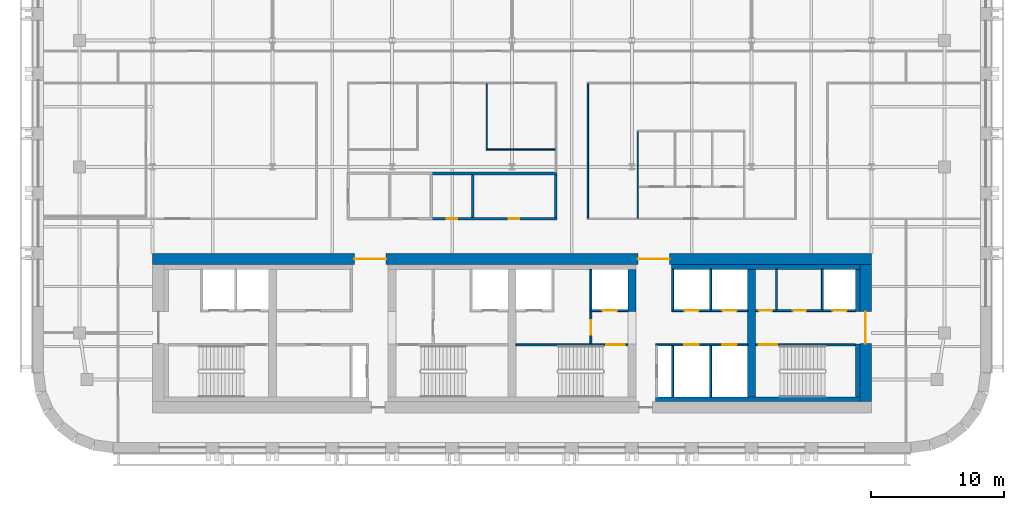
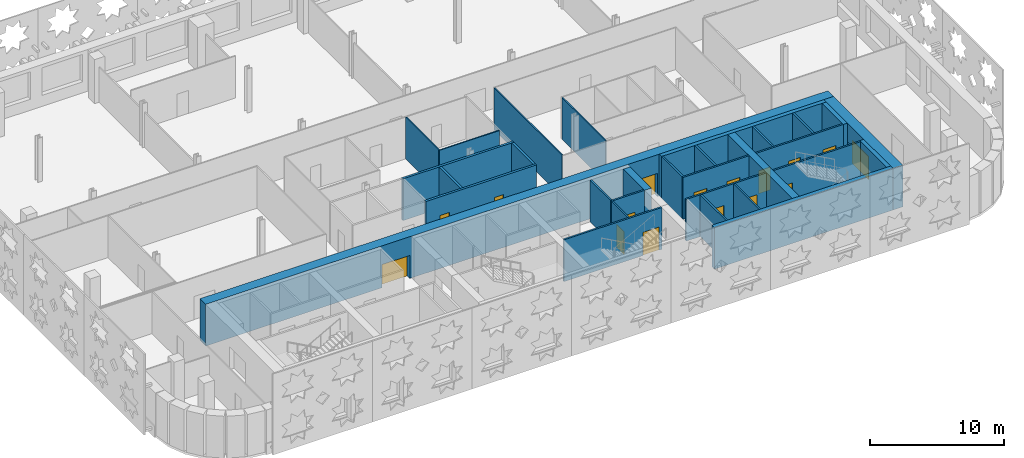
# One storey, part 5 of 12: 30 walls, 16 doors, 16 openings.
"""IFC4 building model written with IfcOpenShell, lengths in metres."""

from ifc_helpers import new_model, si_unit, direction, frame, frame_2d, origin, place, context, subcontext, project, spatial, rectangle, extrude, material, layer, layer_set, type_object, element, fill, save


model = new_model("IFC4")

# Units and contexts
model_context = context("Model", 3, precision=1e-05, world=origin(), true_north=direction((0.0, 1.0)))
body_context = subcontext(model_context, "Body", "Model", "MODEL_VIEW")
ifc_project = project(units=[si_unit("LENGTHUNIT", "METRE"), si_unit("AREAUNIT", "SQUARE_METRE"), si_unit("VOLUMEUNIT", "CUBIC_METRE"), si_unit("PLANEANGLEUNIT", "RADIAN"), si_unit("MASSUNIT", "GRAM", prefix="KILO")], contexts=[model_context])

# Site, building, storey
site_placement = place(None, origin())
site = spatial("IfcSite", under=ifc_project, at=site_placement, CompositionType="ELEMENT")
building_placement = place(site_placement, origin())
building = spatial("IfcBuilding", under=site, at=building_placement, Name="Zellij Exchange Tower", CompositionType="ELEMENT")
storey_placement = place(building_placement, frame((0.0, 0.0, 204.5)))
storey = spatial("IfcBuildingStorey", under=building, at=storey_placement, Name="L47", CompositionType="ELEMENT", Elevation=204.5)

# Walls
ifc_material_1 = material(Name="Concrete C60/75", Category="concrete")
ifc_layer_1 = layer(ifc_material_1, 0.60009765625)
ifc_layer_set_1 = layer_set([ifc_layer_1], Name="Concrete C60/75")
wall_type_1 = type_object("IfcWallType", Name="CORE-CW 600 C60/75", PredefinedType="SHEAR", material=ifc_layer_set_1)
wall_1_placement = place(storey_placement, frame((9.0, -6.375, 0.0), z_axis=(0.0, 0.0, 1.0), x_axis=(0.0, 1.0, 0.0)))
element("IfcWall", 1, at=wall_1_placement, inside=storey, type_object=wall_type_1, Name="Core cross wall pier x 9 b L47", PredefinedType="SHEAR", context=body_context, shape_type="SweptSolid", body=[
    extrude(rectangle(XDim=3.175048828125, YDim=0.60009765625, at=frame_2d((1.58740234375, 0.0))), origin(), (0.0, 0.0, 1.0), 3.800048828125),
])
wall_2_placement = place(storey_placement, frame((18.0, -12.800048828125, 0.0), z_axis=(0.0, 0.0, 1.0), x_axis=(0.0, 1.0, 0.0)))
element("IfcWall", 2, at=wall_2_placement, inside=storey, type_object=wall_type_1, Name="Core cross wall x 18 L47", PredefinedType="SHEAR", context=body_context, shape_type="SweptSolid", body=[
    extrude(rectangle(XDim=9.60009765625, YDim=0.60009765625, at=frame_2d((4.800048828125, 0.0))), origin(), (0.0, 0.0, 1.0), 3.800048828125),
])
ifc_material_2 = material(Name="Concrete C30/37", Category="concrete")
ifc_layer_2 = layer(ifc_material_2, 0.35009765625)
ifc_layer_set_2 = layer_set([ifc_layer_2], Name="Concrete C30/37")
wall_type_2 = type_object("IfcWallType", Name="CORE-LW 350 C30/37", PredefinedType="SHEAR", material=ifc_layer_set_2)
wall_3_placement = place(storey_placement, frame((12.0, -3.02490234375, 0.0), z_axis=(0.0, 0.0, 1.0), x_axis=(1.0, 0.0, 0.0)))
element("IfcWall", 3, at=wall_3_placement, inside=storey, type_object=wall_type_2, Name="Core wall lining front.2 L47", PredefinedType="SHEAR", context=body_context, shape_type="SweptSolid", body=[
    extrude(rectangle(XDim=14.14990234375, YDim=0.35009765625, at=frame_2d((7.074951171875, 0.0))), origin(), (0.0, 0.0, 1.0), 3.800048828125),
])
wall_4_placement = place(storey_placement, frame((10.800048828125, -12.97509765625, 0.0), z_axis=(0.0, 0.0, 1.0), x_axis=(1.0, 0.0, 0.0)))
element("IfcWall", 4, at=wall_4_placement, inside=storey, type_object=wall_type_2, Name="Core wall lining rear.2 L47", PredefinedType="SHEAR", context=body_context, shape_type="SweptSolid", body=[
    extrude(rectangle(XDim=15.349853515625, YDim=0.35009765625, at=frame_2d((7.6748046875, 0.0))), origin(), (0.0, 0.0, 1.0), 3.800048828125),
])
wall_5_placement = place(storey_placement, frame((25.97509765625, -12.800048828125, 0.0), z_axis=(0.0, 0.0, 1.0), x_axis=(0.0, 1.0, 0.0)))
element("IfcWall", 5, at=wall_5_placement, inside=storey, type_object=wall_type_2, Name="Core wall lining end e.0 L47", PredefinedType="SHEAR", context=body_context, shape_type="SweptSolid", body=[
    extrude(rectangle(XDim=4.0, YDim=0.35009765625, at=frame_2d((2.0, 0.0))), origin(), (0.0, 0.0, 1.0), 3.800048828125),
])
wall_6_placement = place(storey_placement, frame((25.97509765625, -6.375, 0.0), z_axis=(0.0, 0.0, 1.0), x_axis=(0.0, 1.0, 0.0)))
element("IfcWall", 6, at=wall_6_placement, inside=storey, type_object=wall_type_2, Name="Core wall lining end e.1 L47", PredefinedType="SHEAR", context=body_context, shape_type="SweptSolid", body=[
    extrude(rectangle(XDim=3.175048828125, YDim=0.35009765625, at=frame_2d((1.58740234375, 0.0))), origin(), (0.0, 0.0, 1.0), 3.800048828125),
])

# Wall, opening, door
ifc_material_3 = material(Name="Gypsum shaft wall system")
ifc_layer_3 = layer(ifc_material_3, 0.14990234375)
ifc_layer_set_3 = layer_set([ifc_layer_3], Name="Gypsum shaft wall system")
wall_type_3 = type_object("IfcWallType", Name="CORE-PW 150 Firefighting lobby wall", PredefinedType="PARTITIONING", material=ifc_layer_set_3)
wall_7_placement = place(storey_placement, frame((5.925048828125, -8.800048828125, 0.0), z_axis=(0.0, 0.0, 1.0), x_axis=(0.0, 1.0, 0.0)))
wall_7 = element("IfcWall", 7, at=wall_7_placement, inside=storey, type_object=wall_type_3, Name="Firefighting lobby wall L47", PredefinedType="PARTITIONING", context=body_context, shape_type="SweptSolid", body=[
    extrude(rectangle(XDim=2.425048828125, YDim=0.14990234375, at=frame_2d((1.21240234375, 0.0))), origin(), (0.0, 0.0, 1.0), 3.800048828125),
])
opening_1_placement = place(wall_7_placement, frame((0.662109375, 0.0, 0.0)))
opening_1 = element("IfcOpeningElement", 8, at=opening_1_placement, cuts=wall_7, Name="Opening CA-24.14", PredefinedType="OPENING", context=body_context, shape_type="SweptSolid", body=[
    extrude(rectangle(XDim=1.10009765625, YDim=2.10009765625, at=frame_2d((0.550048828125, 1.050048828125))), frame((0.0, 0.0869140625, 0.0), z_axis=(0.0, -1.0, 0.0), x_axis=(1.0, 0.0, 0.0)), (0.0, 0.0, 1.0), 0.173828125),
])
ifc_material_4 = material(Name="Hollow metal fire door")
door_type_1 = type_object("IfcDoorType", Name="CORE-D F Firefighting lobby door 1100x2100 1 HR", OperationType="NOTDEFINED", PredefinedType="DOOR", material=ifc_material_4)
door_1_placement = place(opening_1_placement, origin())
door_1 = element("IfcDoor", 9, at=door_1_placement, inside=storey, type_object=door_type_1, Name="Firefighting lobby door CA-24.14", OperationType="SINGLE_SWING_RIGHT", OverallHeight=2.10009765625, OverallWidth=1.10009765625, PredefinedType="DOOR", context=body_context, shape_type="SweptSolid", body=[
    extrude(rectangle(XDim=1.10009765625, YDim=2.10009765625, at=frame_2d((0.550048828125, 1.050048828125))), frame((0.0, 0.02490234375, 0.0), z_axis=(0.0, -1.0, 0.0), x_axis=(1.0, 0.0, 0.0)), (0.0, 0.0, 1.0), 0.050048828125),
])
fill(opening_1, door_1)

# Walls
ifc_material_5 = material(Name="Gypsum board partition")
ifc_layer_4 = layer(ifc_material_5, 0.14990234375)
ifc_layer_set_4 = layer_set([ifc_layer_4], Name="Gypsum board partition")
wall_type_4 = type_object("IfcWallType", Name="CORE-PW 150 Lift lobby wall", PredefinedType="PARTITIONING", material=ifc_layer_set_4)
wall_8_placement = place(storey_placement, frame((19.875, -6.22509765625, 0.0), z_axis=(0.0, 0.0, 1.0), x_axis=(0.0, 1.0, 0.0)))
element("IfcWall", 10, at=wall_8_placement, inside=storey, type_object=wall_type_4, Name="Lift lobby wall L47", PredefinedType="PARTITIONING", context=body_context, shape_type="SweptSolid", body=[
    extrude(rectangle(XDim=3.025146484375, YDim=0.14990234375, at=frame_2d((1.5126953125, 0.0))), origin(), (0.0, 0.0, 1.0), 3.800048828125),
])
ifc_layer_5 = layer(ifc_material_3, 0.14990234375)
ifc_layer_set_5 = layer_set([ifc_layer_5], Name="Gypsum shaft wall system")
wall_type_5 = type_object("IfcWallType", Name="CORE-PW 150 Lift shaft wall", PredefinedType="PARTITIONING", material=ifc_layer_set_5)
for number, where, z_axis, x_axis, name in (
    (11, (5.925048828125, -6.22509765625, 0.0), (0.0, 0.0, 1.0), (0.0, 1.0, 0.0), "Lift shaft wall L47"),
    (12, (12.074951171875, -6.22509765625, 0.0), (0.0, 0.0, 1.0), (0.0, 1.0, 0.0), "Lift shaft wall L47"),
    (13, (14.925048828125, -6.22509765625, 0.0), (0.0, 0.0, 1.0), (0.0, 1.0, 0.0), "Lift shaft wall L47"),
    (14, (23.324951171875, -6.22509765625, 0.0), (0.0, 0.0, 1.0), (0.0, 1.0, 0.0), "Lift shaft wall L47"),
):
    element("IfcWall", number, at=place(storey_placement, frame(where, z_axis=z_axis, x_axis=x_axis)), inside=storey, type_object=wall_type_5, Name=name, PredefinedType="PARTITIONING", context=body_context, shape_type="SweptSolid", body=[
        extrude(rectangle(XDim=3.025146484375, YDim=0.14990234375, at=frame_2d((1.5126953125, 0.0))), origin(), (0.0, 0.0, 1.0), 3.800048828125),
    ])
for number, where, z_axis, x_axis, name in (
    (15, (12.074951171875, -12.800048828125, 0.0), (0.0, 0.0, 1.0), (0.0, 1.0, 0.0), "Lift shaft wall L47"),
    (16, (14.925048828125, -12.800048828125, 0.0), (0.0, 0.0, 1.0), (0.0, 1.0, 0.0), "Lift shaft wall L47"),
):
    element("IfcWall", number, at=place(storey_placement, frame(where, z_axis=z_axis, x_axis=x_axis)), inside=storey, type_object=wall_type_5, Name=name, PredefinedType="PARTITIONING", context=body_context, shape_type="SweptSolid", body=[
        extrude(rectangle(XDim=3.85009765625, YDim=0.14990234375, at=frame_2d((1.925048828125, 0.0))), origin(), (0.0, 0.0, 1.0), 3.800048828125),
    ])

# Wall, opening, door
wall_9_placement = place(storey_placement, frame((5.85009765625, -6.300048828125, 0.0), z_axis=(0.0, 0.0, 1.0), x_axis=(1.0, 0.0, 0.0)))
wall_9 = element("IfcWall", 17, at=wall_9_placement, inside=storey, type_object=wall_type_5, Name="Lift shaft wall L47", PredefinedType="PARTITIONING", context=body_context, shape_type="SweptSolid", body=[
    extrude(rectangle(XDim=2.849853515625, YDim=0.14990234375, at=frame_2d((1.4248046875, 0.0))), origin(), (0.0, 0.0, 1.0), 3.800048828125),
])
opening_2_placement = place(wall_9_placement, frame((0.949951171875, 0.0, 0.0)))
opening_2 = element("IfcOpeningElement", 18, at=opening_2_placement, cuts=wall_9, Name="Opening CA-24.15", PredefinedType="OPENING", context=body_context, shape_type="SweptSolid", body=[
    extrude(rectangle(XDim=1.10009765625, YDim=2.10009765625, at=frame_2d((0.550048828125, 1.050048828125))), frame((0.0, 0.0869140625, 0.0), z_axis=(0.0, -1.0, 0.0), x_axis=(1.0, 0.0, 0.0)), (0.0, 0.0, 1.0), 0.173828125),
])
door_type_2 = type_object("IfcDoorType", Name="CORE-D LD Lift landing door 1100x2100 1.5 HR", OperationType="NOTDEFINED", PredefinedType="DOOR", material=ifc_material_4)
door_2_placement = place(opening_2_placement, origin())
door_2 = element("IfcDoor", 19, at=door_2_placement, inside=storey, type_object=door_type_2, Name="Lift landing door CA-24.15", OperationType="SLIDING_TO_LEFT", OverallHeight=2.10009765625, OverallWidth=1.10009765625, PredefinedType="DOOR", context=body_context, shape_type="SweptSolid", body=[
    extrude(rectangle(XDim=1.10009765625, YDim=2.10009765625, at=frame_2d((0.550048828125, 1.050048828125))), frame((0.0, 0.02490234375, 0.0), z_axis=(0.0, -1.0, 0.0), x_axis=(1.0, 0.0, 0.0)), (0.0, 0.0, 1.0), 0.050048828125),
])
fill(opening_2, door_2)

# Wall, openings, doors
wall_10_placement = place(storey_placement, frame((12.0, -6.300048828125, 0.0), z_axis=(0.0, 0.0, 1.0), x_axis=(1.0, 0.0, 0.0)))
wall_10 = element("IfcWall", 20, at=wall_10_placement, inside=storey, type_object=wall_type_5, Name="Lift shaft wall L47", PredefinedType="PARTITIONING", context=body_context, shape_type="SweptSolid", body=[
    extrude(rectangle(XDim=5.699951171875, YDim=0.14990234375, at=frame_2d((2.85009765625, 0.0))), origin(), (0.0, 0.0, 1.0), 3.800048828125),
])
opening_3_placement = place(wall_10_placement, frame((0.949951171875, 0.0, 0.0)))
opening_3 = element("IfcOpeningElement", 21, at=opening_3_placement, cuts=wall_10, Name="Opening CA-24.21", PredefinedType="OPENING", context=body_context, shape_type="SweptSolid", body=[
    extrude(rectangle(XDim=1.10009765625, YDim=2.10009765625, at=frame_2d((0.550048828125, 1.050048828125))), frame((0.0, 0.0869140625, 0.0), z_axis=(0.0, -1.0, 0.0), x_axis=(1.0, 0.0, 0.0)), (0.0, 0.0, 1.0), 0.173828125),
])
opening_4_placement = place(wall_10_placement, frame((3.800048828125, 0.0, 0.0)))
opening_4 = element("IfcOpeningElement", 22, at=opening_4_placement, cuts=wall_10, Name="Opening CA-24.23", PredefinedType="OPENING", context=body_context, shape_type="SweptSolid", body=[
    extrude(rectangle(XDim=1.10009765625, YDim=2.10009765625, at=frame_2d((0.550048828125, 1.050048828125))), frame((0.0, 0.0869140625, 0.0), z_axis=(0.0, -1.0, 0.0), x_axis=(1.0, 0.0, 0.0)), (0.0, 0.0, 1.0), 0.173828125),
])
door_3_placement = place(opening_3_placement, origin())
door_3 = element("IfcDoor", 23, at=door_3_placement, inside=storey, type_object=door_type_2, Name="Lift landing door CA-24.21", OperationType="SLIDING_TO_LEFT", OverallHeight=2.10009765625, OverallWidth=1.10009765625, PredefinedType="DOOR", context=body_context, shape_type="SweptSolid", body=[
    extrude(rectangle(XDim=1.10009765625, YDim=2.10009765625, at=frame_2d((0.550048828125, 1.050048828125))), frame((0.0, 0.02490234375, 0.0), z_axis=(0.0, -1.0, 0.0), x_axis=(1.0, 0.0, 0.0)), (0.0, 0.0, 1.0), 0.050048828125),
])
fill(opening_3, door_3)
door_4_placement = place(opening_4_placement, origin())
door_4 = element("IfcDoor", 24, at=door_4_placement, inside=storey, type_object=door_type_2, Name="Lift landing door CA-24.23", OperationType="SLIDING_TO_LEFT", OverallHeight=2.10009765625, OverallWidth=1.10009765625, PredefinedType="DOOR", context=body_context, shape_type="SweptSolid", body=[
    extrude(rectangle(XDim=1.10009765625, YDim=2.10009765625, at=frame_2d((0.550048828125, 1.050048828125))), frame((0.0, 0.02490234375, 0.0), z_axis=(0.0, -1.0, 0.0), x_axis=(1.0, 0.0, 0.0)), (0.0, 0.0, 1.0), 0.050048828125),
])
fill(opening_4, door_4)

wall_11_placement = place(storey_placement, frame((18.300048828125, -6.300048828125, 0.0), z_axis=(0.0, 0.0, 1.0), x_axis=(1.0, 0.0, 0.0)))
wall_11 = element("IfcWall", 25, at=wall_11_placement, inside=storey, type_object=wall_type_5, Name="Lift shaft wall L47", PredefinedType="PARTITIONING", context=body_context, shape_type="SweptSolid", body=[
    extrude(rectangle(XDim=7.5, YDim=0.14990234375, at=frame_2d((3.75, 0.0))), origin(), (0.0, 0.0, 1.0), 3.800048828125),
])
opening_5_placement = place(wall_11_placement, frame((0.25, 0.0, 0.0)))
opening_5 = element("IfcOpeningElement", 26, at=opening_5_placement, cuts=wall_11, Name="Opening CA-24.24", PredefinedType="OPENING", context=body_context, shape_type="SweptSolid", body=[
    extrude(rectangle(XDim=1.0, YDim=2.10009765625, at=frame_2d((0.5, 1.050048828125))), frame((0.0, 0.0869140625, 0.0), z_axis=(0.0, -1.0, 0.0), x_axis=(1.0, 0.0, 0.0)), (0.0, 0.0, 1.0), 0.173828125),
])
opening_6_placement = place(wall_11_placement, frame((2.800048828125, 0.0, 0.0)))
opening_6 = element("IfcOpeningElement", 27, at=opening_6_placement, cuts=wall_11, Name="Opening CA-24.26", PredefinedType="OPENING", context=body_context, shape_type="SweptSolid", body=[
    extrude(rectangle(XDim=1.0, YDim=2.10009765625, at=frame_2d((0.5, 1.050048828125))), frame((0.0, 0.0869140625, 0.0), z_axis=(0.0, -1.0, 0.0), x_axis=(1.0, 0.0, 0.0)), (0.0, 0.0, 1.0), 0.173828125),
])
opening_7_placement = place(wall_11_placement, frame((5.75, 0.0, 0.0)))
opening_7 = element("IfcOpeningElement", 28, at=opening_7_placement, cuts=wall_11, Name="Opening CA-24.27", PredefinedType="OPENING", context=body_context, shape_type="SweptSolid", body=[
    extrude(rectangle(XDim=1.10009765625, YDim=2.10009765625, at=frame_2d((0.550048828125, 1.050048828125))), frame((0.0, 0.0869140625, 0.0), z_axis=(0.0, -1.0, 0.0), x_axis=(1.0, 0.0, 0.0)), (0.0, 0.0, 1.0), 0.173828125),
])
door_type_3 = type_object("IfcDoorType", Name="CORE-D CD Core room door 1000x2100 1 HR", OperationType="NOTDEFINED", PredefinedType="DOOR", material=ifc_material_4)
door_5_placement = place(opening_5_placement, origin())
door_5 = element("IfcDoor", 29, at=door_5_placement, inside=storey, type_object=door_type_3, Name="Core room door CA-24.24", OperationType="SINGLE_SWING_LEFT", OverallHeight=2.10009765625, OverallWidth=1.0, PredefinedType="DOOR", context=body_context, shape_type="SweptSolid", body=[
    extrude(rectangle(XDim=1.0, YDim=2.10009765625, at=frame_2d((0.5, 1.050048828125))), frame((0.0, 0.02490234375, 0.0), z_axis=(0.0, -1.0, 0.0), x_axis=(1.0, 0.0, 0.0)), (0.0, 0.0, 1.0), 0.050048828125),
])
fill(opening_5, door_5)
door_6_placement = place(opening_6_placement, origin())
door_6 = element("IfcDoor", 30, at=door_6_placement, inside=storey, type_object=door_type_3, Name="Core room door CA-24.26", OperationType="SINGLE_SWING_LEFT", OverallHeight=2.10009765625, OverallWidth=1.0, PredefinedType="DOOR", context=body_context, shape_type="SweptSolid", body=[
    extrude(rectangle(XDim=1.0, YDim=2.10009765625, at=frame_2d((0.5, 1.050048828125))), frame((0.0, 0.02490234375, 0.0), z_axis=(0.0, -1.0, 0.0), x_axis=(1.0, 0.0, 0.0)), (0.0, 0.0, 1.0), 0.050048828125),
])
fill(opening_6, door_6)
door_7_placement = place(opening_7_placement, origin())
door_7 = element("IfcDoor", 31, at=door_7_placement, inside=storey, type_object=door_type_2, Name="Lift landing door CA-24.27", OperationType="SLIDING_TO_LEFT", OverallHeight=2.10009765625, OverallWidth=1.10009765625, PredefinedType="DOOR", context=body_context, shape_type="SweptSolid", body=[
    extrude(rectangle(XDim=1.10009765625, YDim=2.10009765625, at=frame_2d((0.550048828125, 1.050048828125))), frame((0.0, 0.02490234375, 0.0), z_axis=(0.0, -1.0, 0.0), x_axis=(1.0, 0.0, 0.0)), (0.0, 0.0, 1.0), 0.050048828125),
])
fill(opening_7, door_7)

wall_12_placement = place(storey_placement, frame((10.800048828125, -8.875, 0.0), z_axis=(0.0, 0.0, 1.0), x_axis=(1.0, 0.0, 0.0)))
wall_12 = element("IfcWall", 32, at=wall_12_placement, inside=storey, type_object=wall_type_5, Name="Lift shaft wall L47", PredefinedType="PARTITIONING", context=body_context, shape_type="SweptSolid", body=[
    extrude(rectangle(XDim=6.89990234375, YDim=0.14990234375, at=frame_2d((3.449951171875, 0.0))), origin(), (0.0, 0.0, 1.0), 3.800048828125),
])
opening_8_placement = place(wall_12_placement, frame((2.14990234375, 0.0, 0.0)))
opening_8 = element("IfcOpeningElement", 33, at=opening_8_placement, cuts=wall_12, Name="Opening CA-24.20", PredefinedType="OPENING", context=body_context, shape_type="SweptSolid", body=[
    extrude(rectangle(XDim=1.10009765625, YDim=2.10009765625, at=frame_2d((0.550048828125, 1.050048828125))), frame((0.0, 0.0869140625, 0.0), z_axis=(0.0, -1.0, 0.0), x_axis=(1.0, 0.0, 0.0)), (0.0, 0.0, 1.0), 0.173828125),
])
opening_9_placement = place(wall_12_placement, frame((5.0, 0.0, 0.0)))
opening_9 = element("IfcOpeningElement", 34, at=opening_9_placement, cuts=wall_12, Name="Opening CA-24.22", PredefinedType="OPENING", context=body_context, shape_type="SweptSolid", body=[
    extrude(rectangle(XDim=1.10009765625, YDim=2.10009765625, at=frame_2d((0.550048828125, 1.050048828125))), frame((0.0, 0.0869140625, 0.0), z_axis=(0.0, -1.0, 0.0), x_axis=(1.0, 0.0, 0.0)), (0.0, 0.0, 1.0), 0.173828125),
])
door_8_placement = place(opening_8_placement, origin())
door_8 = element("IfcDoor", 35, at=door_8_placement, inside=storey, type_object=door_type_2, Name="Lift landing door CA-24.20", OperationType="SLIDING_TO_RIGHT", OverallHeight=2.10009765625, OverallWidth=1.10009765625, PredefinedType="DOOR", context=body_context, shape_type="SweptSolid", body=[
    extrude(rectangle(XDim=1.10009765625, YDim=2.10009765625, at=frame_2d((0.550048828125, 1.050048828125))), frame((0.0, 0.02490234375, 0.0), z_axis=(0.0, -1.0, 0.0), x_axis=(1.0, 0.0, 0.0)), (0.0, 0.0, 1.0), 0.050048828125),
])
fill(opening_8, door_8)
door_9_placement = place(opening_9_placement, origin())
door_9 = element("IfcDoor", 36, at=door_9_placement, inside=storey, type_object=door_type_2, Name="Lift landing door CA-24.22", OperationType="SLIDING_TO_RIGHT", OverallHeight=2.10009765625, OverallWidth=1.10009765625, PredefinedType="DOOR", context=body_context, shape_type="SweptSolid", body=[
    extrude(rectangle(XDim=1.10009765625, YDim=2.10009765625, at=frame_2d((0.550048828125, 1.050048828125))), frame((0.0, 0.02490234375, 0.0), z_axis=(0.0, -1.0, 0.0), x_axis=(1.0, 0.0, 0.0)), (0.0, 0.0, 1.0), 0.050048828125),
])
fill(opening_9, door_9)

ifc_layer_6 = layer(ifc_material_1, 0.85009765625)
ifc_layer_set_6 = layer_set([ifc_layer_6], Name="Concrete C60/75")
wall_type_6 = type_object("IfcWallType", Name="CORE-SW 850 C60/75", PredefinedType="SHEAR", material=ifc_layer_set_6)
wall_13_placement = place(storey_placement, frame((-27.0, -2.425048828125, 0.0), z_axis=(0.0, 0.0, 1.0), x_axis=(1.0, 0.0, 0.0)))
wall_13 = element("IfcWall", 37, at=wall_13_placement, inside=storey, type_object=wall_type_6, Name="Core shear wall front L47", PredefinedType="SHEAR", context=body_context, shape_type="SweptSolid", body=[
    extrude(rectangle(XDim=54.0, YDim=0.85009765625, at=frame_2d((27.0, 0.0))), origin(), (0.0, 0.0, 1.0), 3.800048828125),
])
opening_10_placement = place(wall_13_placement, frame((15.14990234375, 0.0, 0.0)))
opening_10 = element("IfcOpeningElement", 38, at=opening_10_placement, cuts=wall_13, Name="Opening CA-24.08", PredefinedType="OPENING", context=body_context, shape_type="SweptSolid", body=[
    extrude(rectangle(XDim=2.39990234375, YDim=2.10009765625, at=frame_2d((1.199951171875, 1.050048828125))), frame((0.0, 0.43701171875, 0.0), z_axis=(0.0, -1.0, 0.0), x_axis=(1.0, 0.0, 0.0)), (0.0, 0.0, 1.0), 0.8740234375),
])
opening_11_placement = place(wall_13_placement, frame((36.449951171875, 0.0, 0.0)))
opening_11 = element("IfcOpeningElement", 39, at=opening_11_placement, cuts=wall_13, Name="Opening CA-24.18", PredefinedType="OPENING", context=body_context, shape_type="SweptSolid", body=[
    extrude(rectangle(XDim=2.39990234375, YDim=2.10009765625, at=frame_2d((1.199951171875, 1.050048828125))), frame((0.0, 0.43701171875, 0.0), z_axis=(0.0, -1.0, 0.0), x_axis=(1.0, 0.0, 0.0)), (0.0, 0.0, 1.0), 0.8740234375),
])
door_type_4 = type_object("IfcDoorType", Name="CORE-D CE Core entrance door 2400x2100 20 MIN", OperationType="NOTDEFINED", PredefinedType="DOOR", material=ifc_material_4)
door_10_placement = place(opening_10_placement, origin())
door_10 = element("IfcDoor", 40, at=door_10_placement, inside=storey, type_object=door_type_4, Name="Core entrance door CA-24.08", OperationType="DOUBLE_DOOR_SINGLE_SWING", OverallHeight=2.10009765625, OverallWidth=2.39990234375, PredefinedType="DOOR", context=body_context, shape_type="SweptSolid", body=[
    extrude(rectangle(XDim=2.39990234375, YDim=2.10009765625, at=frame_2d((1.199951171875, 1.050048828125))), frame((0.0, 0.02490234375, 0.0), z_axis=(0.0, -1.0, 0.0), x_axis=(1.0, 0.0, 0.0)), (0.0, 0.0, 1.0), 0.050048828125),
])
fill(opening_10, door_10)
door_11_placement = place(opening_11_placement, origin())
door_11 = element("IfcDoor", 41, at=door_11_placement, inside=storey, type_object=door_type_4, Name="Core entrance door CA-24.18", OperationType="DOUBLE_DOOR_SINGLE_SWING", OverallHeight=2.10009765625, OverallWidth=2.39990234375, PredefinedType="DOOR", context=body_context, shape_type="SweptSolid", body=[
    extrude(rectangle(XDim=2.39990234375, YDim=2.10009765625, at=frame_2d((1.199951171875, 1.050048828125))), frame((0.0, 0.02490234375, 0.0), z_axis=(0.0, -1.0, 0.0), x_axis=(1.0, 0.0, 0.0)), (0.0, 0.0, 1.0), 0.050048828125),
])
fill(opening_11, door_11)

# Wall, opening, door
wall_14_placement = place(storey_placement, frame((26.574951171875, -13.14990234375, 0.0), z_axis=(0.0, 0.0, 1.0), x_axis=(0.0, 1.0, 0.0)))
wall_14 = element("IfcWall", 42, at=wall_14_placement, inside=storey, type_object=wall_type_6, Name="Core shear wall end e L47", PredefinedType="SHEAR", context=body_context, shape_type="SweptSolid", body=[
    extrude(rectangle(XDim=10.2998046875, YDim=0.85009765625, at=frame_2d((5.14990234375, 0.0))), origin(), (0.0, 0.0, 1.0), 3.800048828125),
])
opening_12_placement = place(wall_14_placement, frame((4.362060546875, 0.0, 0.0)))
opening_12 = element("IfcOpeningElement", 43, at=opening_12_placement, cuts=wall_14, Name="Opening CA-24.28", PredefinedType="OPENING", context=body_context, shape_type="SweptSolid", body=[
    extrude(rectangle(XDim=2.39990234375, YDim=2.10009765625, at=frame_2d((1.199951171875, 1.050048828125))), frame((0.0, 0.43701171875, 0.0), z_axis=(0.0, -1.0, 0.0), x_axis=(1.0, 0.0, 0.0)), (0.0, 0.0, 1.0), 0.8740234375),
])
door_12_placement = place(opening_12_placement, origin())
door_12 = element("IfcDoor", 44, at=door_12_placement, inside=storey, type_object=door_type_4, Name="Core entrance door CA-24.28", OperationType="DOUBLE_DOOR_SINGLE_SWING", OverallHeight=2.10009765625, OverallWidth=2.39990234375, PredefinedType="DOOR", context=body_context, shape_type="SweptSolid", body=[
    extrude(rectangle(XDim=2.39990234375, YDim=2.10009765625, at=frame_2d((1.199951171875, 1.050048828125))), frame((0.0, 0.02490234375, 0.0), z_axis=(0.0, -1.0, 0.0), x_axis=(1.0, 0.0, 0.0)), (0.0, 0.0, 1.0), 0.050048828125),
])
fill(opening_12, door_12)

ifc_layer_7 = layer(ifc_material_1, 0.14990234375)
ifc_layer_set_7 = layer_set([ifc_layer_7], Name="Concrete C60/75")
wall_type_7 = type_object("IfcWallType", Name="CORE-SWS 150 C60/75", PredefinedType="SHEAR", material=ifc_layer_set_7)
wall_15_placement = place(storey_placement, frame((0.300048828125, -8.875, 0.0), z_axis=(0.0, 0.0, 1.0), x_axis=(1.0, 0.0, 0.0)))
wall_15 = element("IfcWall", 45, at=wall_15_placement, inside=storey, type_object=wall_type_7, Name="Stair enclosure wall L47", PredefinedType="SHEAR", context=body_context, shape_type="SweptSolid", body=[
    extrude(rectangle(XDim=8.39990234375, YDim=0.14990234375, at=frame_2d((4.199951171875, 0.0))), origin(), (0.0, 0.0, 1.0), 3.800048828125),
])
opening_13_placement = place(wall_15_placement, frame((6.77490234375, 0.0, 0.0)))
opening_13 = element("IfcOpeningElement", 46, at=opening_13_placement, cuts=wall_15, Name="Opening CA-24.16", PredefinedType="OPENING", context=body_context, shape_type="SweptSolid", body=[
    extrude(rectangle(XDim=1.39990234375, YDim=2.10009765625, at=frame_2d((0.699951171875, 1.050048828125))), frame((0.0, 0.0869140625, 0.0), z_axis=(0.0, -1.0, 0.0), x_axis=(1.0, 0.0, 0.0)), (0.0, 0.0, 1.0), 0.173828125),
])
door_type_5 = type_object("IfcDoorType", Name="CORE-D SD Stair door 1400x2100 1.5 HR", OperationType="NOTDEFINED", PredefinedType="DOOR", material=ifc_material_4)
door_13_placement = place(opening_13_placement, origin())
door_13 = element("IfcDoor", 47, at=door_13_placement, inside=storey, type_object=door_type_5, Name="Stair door CA-24.16", OperationType="DOUBLE_DOOR_SINGLE_SWING", OverallHeight=2.10009765625, OverallWidth=1.39990234375, PredefinedType="DOOR", context=body_context, shape_type="SweptSolid", body=[
    extrude(rectangle(XDim=1.39990234375, YDim=2.10009765625, at=frame_2d((0.699951171875, 1.050048828125))), frame((0.0, 0.02490234375, 0.0), z_axis=(0.0, -1.0, 0.0), x_axis=(1.0, 0.0, 0.0)), (0.0, 0.0, 1.0), 0.050048828125),
])
fill(opening_13, door_13)

wall_16_placement = place(storey_placement, frame((18.300048828125, -8.875, 0.0), z_axis=(0.0, 0.0, 1.0), x_axis=(1.0, 0.0, 0.0)))
wall_16 = element("IfcWall", 48, at=wall_16_placement, inside=storey, type_object=wall_type_7, Name="Stair enclosure wall L47", PredefinedType="SHEAR", context=body_context, shape_type="SweptSolid", body=[
    extrude(rectangle(XDim=7.5, YDim=0.14990234375, at=frame_2d((3.75, 0.0))), origin(), (0.0, 0.0, 1.0), 3.800048828125),
])
opening_14_placement = place(wall_16_placement, frame((0.22509765625, 0.0, 0.0)))
opening_14 = element("IfcOpeningElement", 49, at=opening_14_placement, cuts=wall_16, Name="Opening CA-24.25", PredefinedType="OPENING", context=body_context, shape_type="SweptSolid", body=[
    extrude(rectangle(XDim=1.39990234375, YDim=2.10009765625, at=frame_2d((0.699951171875, 1.050048828125))), frame((0.0, 0.0869140625, 0.0), z_axis=(0.0, -1.0, 0.0), x_axis=(1.0, 0.0, 0.0)), (0.0, 0.0, 1.0), 0.173828125),
])
door_14_placement = place(opening_14_placement, origin())
door_14 = element("IfcDoor", 50, at=door_14_placement, inside=storey, type_object=door_type_5, Name="Stair door CA-24.25", OperationType="DOUBLE_DOOR_SINGLE_SWING", OverallHeight=2.10009765625, OverallWidth=1.39990234375, PredefinedType="DOOR", context=body_context, shape_type="SweptSolid", body=[
    extrude(rectangle(XDim=1.39990234375, YDim=2.10009765625, at=frame_2d((0.699951171875, 1.050048828125))), frame((0.0, 0.02490234375, 0.0), z_axis=(0.0, -1.0, 0.0), x_axis=(1.0, 0.0, 0.0)), (0.0, 0.0, 1.0), 0.050048828125),
])
fill(opening_14, door_14)

# Wall, openings, doors
ifc_material_6 = material(Name="Blockwork partition", Category="masonry")
ifc_layer_8 = layer(ifc_material_6, 0.199951171875)
ifc_layer_set_8 = layer_set([ifc_layer_8], Name="Blockwork partition")
wall_type_8 = type_object("IfcWallType", Name="FIT-BLOCKWORK-200", PredefinedType="PARTITIONING", material=ifc_layer_set_8)
wall_17_placement = place(storey_placement, frame((-6.135009765625, 0.60009765625, 0.0), z_axis=(0.0, 0.0, 1.0), x_axis=(1.0, 0.0, 0.0)))
wall_17 = element("IfcWall", 51, at=wall_17_placement, inside=storey, type_object=wall_type_8, Name="FIT-BLOCKWORK-200 010", PredefinedType="PARTITIONING", context=body_context, shape_type="SweptSolid", body=[
    extrude(rectangle(XDim=9.534912109375, YDim=0.199951171875, at=frame_2d((4.767578125, 0.0))), origin(), (0.0, 0.0, 1.0), 3.800048828125),
])
opening_15_placement = place(wall_17_placement, frame((1.22509765625, 0.0, 0.0)))
opening_15 = element("IfcOpeningElement", 52, at=opening_15_placement, cuts=wall_17, Name="Opening O3E.06", PredefinedType="OPENING", context=body_context, shape_type="SweptSolid", body=[
    extrude(rectangle(XDim=0.800048828125, YDim=2.10009765625, at=frame_2d((0.39990234375, 1.050048828125))), frame((0.0, 0.11181640625, 0.0), z_axis=(0.0, -1.0, 0.0), x_axis=(1.0, 0.0, 0.0)), (0.0, 0.0, 1.0), 0.223876953125),
])
opening_16_placement = place(wall_17_placement, frame((5.89501953125, 0.0, 0.0)))
opening_16 = element("IfcOpeningElement", 53, at=opening_16_placement, cuts=wall_17, Name="Opening O3E.07", PredefinedType="OPENING", context=body_context, shape_type="SweptSolid", body=[
    extrude(rectangle(XDim=0.800048828125, YDim=2.10009765625, at=frame_2d((0.39990234375, 1.050048828125))), frame((0.0, 0.11181640625, 0.0), z_axis=(0.0, -1.0, 0.0), x_axis=(1.0, 0.0, 0.0)), (0.0, 0.0, 1.0), 0.223876953125),
])
ifc_material_7 = material(Name="Timber door set", Category="wood")
door_type_6 = type_object("IfcDoorType", Name="FIT-D6-SERVICE-800X2100", OperationType="SINGLE_SWING_LEFT", PredefinedType="DOOR", material=ifc_material_7)
door_15_placement = place(opening_15_placement, origin())
door_15 = element("IfcDoor", 54, at=door_15_placement, inside=storey, type_object=door_type_6, Name="Door O3E.06", OperationType="SINGLE_SWING_RIGHT", OverallHeight=2.10009765625, OverallWidth=0.800048828125, PredefinedType="DOOR", context=body_context, shape_type="SweptSolid", body=[
    extrude(rectangle(XDim=0.800048828125, YDim=2.10009765625, at=frame_2d((0.39990234375, 1.050048828125))), frame((0.0, 0.02490234375, 0.0), z_axis=(0.0, -1.0, 0.0), x_axis=(1.0, 0.0, 0.0)), (0.0, 0.0, 1.0), 0.050048828125),
])
fill(opening_15, door_15)
door_16_placement = place(opening_16_placement, origin())
door_16 = element("IfcDoor", 55, at=door_16_placement, inside=storey, type_object=door_type_6, Name="Door O3E.07", OperationType="SINGLE_SWING_RIGHT", OverallHeight=2.10009765625, OverallWidth=0.800048828125, PredefinedType="DOOR", context=body_context, shape_type="SweptSolid", body=[
    extrude(rectangle(XDim=0.800048828125, YDim=2.10009765625, at=frame_2d((0.39990234375, 1.050048828125))), frame((0.0, 0.02490234375, 0.0), z_axis=(0.0, -1.0, 0.0), x_axis=(1.0, 0.0, 0.0)), (0.0, 0.0, 1.0), 0.050048828125),
])
fill(opening_16, door_16)

# Walls
for number, where, z_axis, x_axis, name in (
    (56, (-2.93994140625, 0.699951171875, 0.0), (0.0, 0.0, 1.0), (0.0, 1.0, 0.0), "FIT-BLOCKWORK-200 012"),
    (57, (3.300048828125, 0.699951171875, 0.0), (0.0, 0.0, 1.0), (0.0, 1.0, 0.0), "FIT-BLOCKWORK-200 013"),
):
    element("IfcWall", number, at=place(storey_placement, frame(where, z_axis=z_axis, x_axis=x_axis)), inside=storey, type_object=wall_type_8, Name=name, PredefinedType="PARTITIONING", context=body_context, shape_type="SweptSolid", body=[
        extrude(rectangle(XDim=3.199951171875, YDim=0.199951171875, at=frame_2d((1.60009765625, 0.0))), origin(), (0.0, 0.0, 1.0), 3.800048828125),
    ])
wall_18_placement = place(storey_placement, frame((-6.135009765625, 4.0, 0.0), z_axis=(0.0, 0.0, 1.0), x_axis=(1.0, 0.0, 0.0)))
element("IfcWall", 58, at=wall_18_placement, inside=storey, type_object=wall_type_8, Name="FIT-BLOCKWORK-200 028", PredefinedType="PARTITIONING", context=body_context, shape_type="SweptSolid", body=[
    extrude(rectangle(XDim=9.534912109375, YDim=0.199951171875, at=frame_2d((4.767578125, 0.0))), origin(), (0.0, 0.0, 1.0), 3.800048828125),
])
ifc_material_8 = material(Name="Gypsum board partition on steel studs", Category="steel")
ifc_layer_9 = layer(ifc_material_8, 0.10009765625)
ifc_layer_set_9 = layer_set([ifc_layer_9], Name="Gypsum board partition on steel studs")
wall_type_9 = type_object("IfcWallType", Name="FIT-PARTITION-100", PredefinedType="PARTITIONING", material=ifc_layer_set_9)
wall_19_placement = place(storey_placement, frame((5.699951171875, 0.64990234375, 0.0), z_axis=(0.0, 0.0, 1.0), x_axis=(0.0, 1.0, 0.0)))
element("IfcWall", 59, at=wall_19_placement, inside=storey, type_object=wall_type_9, Name="FIT-PARTITION-100 015", PredefinedType="PARTITIONING", context=body_context, shape_type="SweptSolid", body=[
    extrude(rectangle(XDim=10.10009765625, YDim=0.10009765625, at=frame_2d((5.050048828125, 0.0))), origin(), (0.0, 0.0, 1.0), 3.800048828125),
])
wall_20_placement = place(storey_placement, frame((9.449951171875, 0.64990234375, 0.0), z_axis=(0.0, 0.0, 1.0), x_axis=(0.0, 1.0, 0.0)))
element("IfcWall", 60, at=wall_20_placement, inside=storey, type_object=wall_type_9, Name="FIT-PARTITION-100 016", PredefinedType="PARTITIONING", context=body_context, shape_type="SweptSolid", body=[
    extrude(rectangle(XDim=6.5, YDim=0.10009765625, at=frame_2d((3.25, 0.0))), origin(), (0.0, 0.0, 1.0), 3.800048828125),
])
wall_21_placement = place(storey_placement, frame((-1.949951171875, 5.800048828125, 0.0), z_axis=(0.0, 0.0, 1.0), x_axis=(1.0, 0.0, 0.0)))
element("IfcWall", 61, at=wall_21_placement, inside=storey, type_object=wall_type_9, Name="FIT-PARTITION-100 032", PredefinedType="PARTITIONING", context=body_context, shape_type="SweptSolid", body=[
    extrude(rectangle(XDim=5.199951171875, YDim=0.10009765625, at=frame_2d((2.60009765625, 0.0))), origin(), (0.0, 0.0, 1.0), 3.800048828125),
])
wall_22_placement = place(storey_placement, frame((-1.89990234375, 5.85009765625, 0.0), z_axis=(0.0, 0.0, 1.0), x_axis=(0.0, 1.0, 0.0)))
element("IfcWall", 62, at=wall_22_placement, inside=storey, type_object=wall_type_9, Name="FIT-PARTITION-100 033", PredefinedType="PARTITIONING", context=body_context, shape_type="SweptSolid", body=[
    extrude(rectangle(XDim=4.89990234375, YDim=0.10009765625, at=frame_2d((2.449951171875, 0.0))), origin(), (0.0, 0.0, 1.0), 3.800048828125),
])

save(model, "model.ifc")
